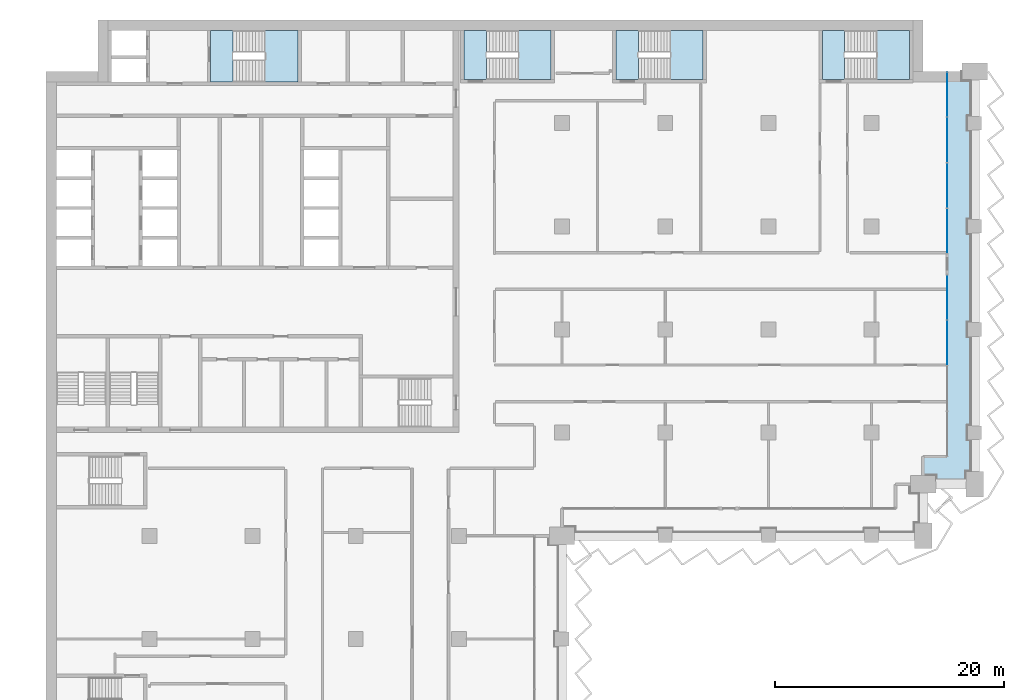
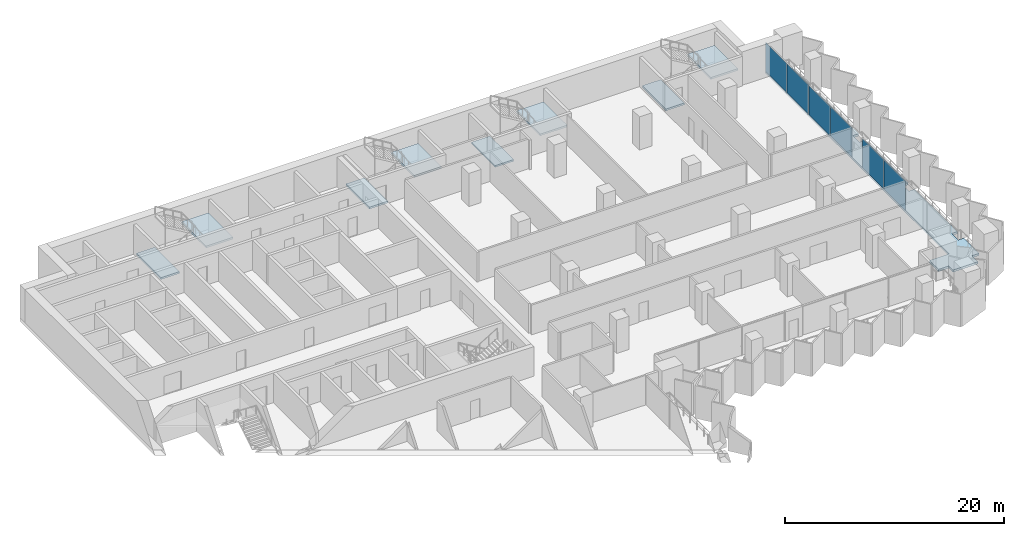
# One storey, part 8 of 23: 9 slabs, 6 plates, 6 elements without a shape of their own.
"""IFC4 building model written with IfcOpenShell, lengths in metres."""

import ifcopenshell
import ifcopenshell.guid

model = None  # the IFC model being written
_history = None  # IfcOwnerHistory: only IFC2X3 demands one
_inside = {}  # id of a spatial element -> (the spatial element, [elements in it])
_under = {}  # id of a project, library or spatial element -> (it, [spatial elements below it])
_declared = {}  # id of a project -> (the project, [libraries it declares])
_typed = {}  # id of a type object -> (the type object, [elements of that type])
_made_of = {}  # id of a material, layer set ... -> (it, [elements and type objects made of it])


def new_model(schema):
    """Start an empty IFC model of exactly this schema.

    Asked for "IFC4X3", IfcOpenShell would pick the latest addendum, in which some entities
    have other attributes; the version numbers below select the first issue.
    IFC2X3 requires an IfcOwnerHistory on every rooted entity: one is made here for all.
    """
    global model, _history
    if schema == "IFC4X3":
        model = ifcopenshell.file(schema_version=(4, 3, 0, 0))
    else:
        model = ifcopenshell.file(schema=schema)
    _inside.clear()
    _under.clear()
    _declared.clear()
    _typed.clear()
    _made_of.clear()
    _history = None
    if model.schema == "IFC2X3":
        org = make("IfcOrganization", Name="unknown")
        user = make(
            "IfcPersonAndOrganization",
            ThePerson=make("IfcPerson", FamilyName="unknown"),
            TheOrganization=org,
        )
        app = make(
            "IfcApplication",
            ApplicationDeveloper=org,
            Version="unknown",
            ApplicationFullName="unknown",
            ApplicationIdentifier="unknown",
        )
        _history = make(
            "IfcOwnerHistory",
            OwningUser=user,
            OwningApplication=app,
            ChangeAction="ADDED",
            CreationDate=0,
        )
    return model


def make(cls, **values):
    """One entity of the class cls with the attributes given. An attribute that is None is left unset."""
    return model.create_entity(
        cls, **{name: value for name, value in values.items() if value is not None}
    )


def rooted(cls, **values):
    """An entity with a GlobalId (a new one), such as an element, a storey or a relation."""
    return make(cls, GlobalId=ifcopenshell.guid.new(), OwnerHistory=_history, **values)


def si_unit(unit_type, name, prefix=None):
    """IfcSIUnit, for example si_unit("LENGTHUNIT", "METRE", prefix="MILLI")."""
    return make("IfcSIUnit", UnitType=unit_type, Prefix=prefix, Name=name)


def assignment(units):
    """IfcUnitAssignment: the units of a project."""
    return None if units is None else make("IfcUnitAssignment", Units=units)


def point(xyz):
    """IfcCartesianPoint."""
    return None if xyz is None else make("IfcCartesianPoint", Coordinates=xyz)


def direction(xyz):
    """IfcDirection."""
    return None if xyz is None else make("IfcDirection", DirectionRatios=xyz)


def frame(location, z_axis=None, x_axis=None):
    """IfcAxis2Placement3D, a coordinate frame: its origin and axes. An axis left out is left unset."""
    return make(
        "IfcAxis2Placement3D",
        Location=point(location),
        Axis=direction(z_axis),
        RefDirection=direction(x_axis),
    )


def frame_2d(location, x_axis=None):
    """IfcAxis2Placement2D, a coordinate frame in the plane: its origin and x axis."""
    return make(
        "IfcAxis2Placement2D", Location=point(location), RefDirection=direction(x_axis)
    )


def origin():
    """The frame at (0, 0, 0) with its axes left unset."""
    return frame((0.0, 0.0, 0.0))


def origin_2d():
    """The frame at (0, 0) in the plane with its x axis left unset."""
    return frame_2d((0.0, 0.0))


def place(relative_to, where):
    """IfcLocalPlacement: puts the frame where relative to a parent placement (None: the world)."""
    return make(
        "IfcLocalPlacement", PlacementRelTo=relative_to, RelativePlacement=where
    )


def context(
    kind, dimensions, precision=None, world=None, true_north=None, identifier=None
):
    """IfcGeometricRepresentationContext, for example the 3D "Model" context."""
    return make(
        "IfcGeometricRepresentationContext",
        ContextIdentifier=identifier,
        ContextType=kind,
        CoordinateSpaceDimension=dimensions,
        Precision=precision,
        WorldCoordinateSystem=world,
        TrueNorth=true_north,
    )


def subcontext(parent, identifier, kind, view, scale=None):
    """IfcGeometricRepresentationSubContext, for example "Body" below "Model"."""
    return make(
        "IfcGeometricRepresentationSubContext",
        ContextIdentifier=identifier,
        ContextType=kind,
        ParentContext=parent,
        TargetScale=scale,
        TargetView=view,
    )


def project(units=None, contexts=None):
    """IfcProject with its units and contexts."""
    return rooted(
        "IfcProject",
        Name="project",
        RepresentationContexts=contexts,
        UnitsInContext=assignment(units),
    )


def spatial(cls, under=None, at=None, **own):
    """A site, building, storey or space (cls), placed at a placement, below another one or the project."""
    s = rooted(cls, ObjectPlacement=at, **own)
    if under is not None:
        _under.setdefault(under.id(), (under, []))[1].append(s)
    return s


def polyline(points):
    """IfcPolyline through the points."""
    return make("IfcPolyline", Points=[point(p) for p in points])


def profile(cls, at=None, kind="AREA", **sizes):
    """A parametric profile (cls). Its sizes go by their IFC names, for example OverallWidth=200.0."""
    return make(cls, ProfileType=kind, Position=at, **sizes)


def rectangle(**sizes):
    """IfcRectangleProfileDef."""
    return profile("IfcRectangleProfileDef", **sizes)


def outline(outer, holes=None, kind="AREA"):
    """IfcArbitraryClosedProfileDef: a profile drawn as a closed curve; with holes, ...WithVoids."""
    if holes is None:
        return make("IfcArbitraryClosedProfileDef", ProfileType=kind, OuterCurve=outer)
    return make(
        "IfcArbitraryProfileDefWithVoids",
        ProfileType=kind,
        OuterCurve=outer,
        InnerCurves=holes,
    )


def extrude(swept, where, along, depth):
    """IfcExtrudedAreaSolid: the profile swept, set in the frame where, extruded along a direction by depth."""
    return make(
        "IfcExtrudedAreaSolid",
        SweptArea=swept,
        Position=where,
        ExtrudedDirection=direction(along),
        Depth=depth,
    )


def shape(context_of_items, identifier, shape_type, items):
    """IfcShapeRepresentation: the items that make up one representation, for example the "Body"."""
    return make(
        "IfcShapeRepresentation",
        ContextOfItems=context_of_items,
        RepresentationIdentifier=identifier,
        RepresentationType=shape_type,
        Items=items,
    )


def material(Name=None, Category=None):
    """IfcMaterial."""
    return make("IfcMaterial", Name=Name, Category=Category)


def layer(
    of_material, thickness, ventilated=None, Name=None, Category=None, Priority=None
):
    """IfcMaterialLayer: one layer of a wall or slab, of a material (None: an air gap)."""
    return make(
        "IfcMaterialLayer",
        Material=of_material,
        LayerThickness=thickness,
        IsVentilated=ventilated,
        Name=Name,
        Category=Category,
        Priority=Priority,
    )


def layer_set(layers, Name=None):
    """IfcMaterialLayerSet."""
    return make("IfcMaterialLayerSet", MaterialLayers=layers, LayerSetName=Name)


def made_of(thing, what):
    """Note that an element or type object is made of a material, layer set ...; save() writes the relation."""
    if what is not None:
        _made_of.setdefault(what.id(), (what, []))[1].append(thing)
    return thing


def type_object(cls, material=None, **own):
    """A type object (cls), such as IfcWallType, which elements share."""
    return made_of(rooted(cls, **own), material)


def element(
    cls,
    number,
    at=None,
    inside=None,
    cuts=None,
    type_object=None,
    material=None,
    context=None,
    identifier="Body",
    shape_type=None,
    held_by="IfcProductDefinitionShape",
    body=None,
    shapes=None,
    **own,
):
    """One element of the class cls, such as IfcWall. Its Tag is "e" and its number.

    at: its placement. inside: the storey or other place that contains it. cuts: it is an
    opening in that element (IfcRelVoidsElement). A single representation is given by context,
    identifier, shape_type and body (its items); several are given by shapes. held_by: the class
    of the entity that holds the representations. save() writes the other relations.
    """
    e = rooted(cls, Tag="e%d" % number, ObjectPlacement=at, **own)
    if body is not None:
        shapes = [shape(context, identifier, shape_type, body)]
    if shapes is not None:
        e.Representation = make(held_by, Representations=shapes)
    if inside is not None:
        _inside.setdefault(inside.id(), (inside, []))[1].append(e)
    if cuts is not None:
        rooted(
            "IfcRelVoidsElement", RelatingBuildingElement=cuts, RelatedOpeningElement=e
        )
    if type_object is not None:
        _typed.setdefault(type_object.id(), (type_object, []))[1].append(e)
    return made_of(e, material)


def aggregate(whole, parts):
    """IfcRelAggregates: a whole, such as a stair, and the parts it consists of."""
    return rooted("IfcRelAggregates", RelatingObject=whole, RelatedObjects=parts)


def save(model, path):
    """Write the relations noted so far, then the file.

    IfcRelAggregates (storeys below a building ...), IfcRelContainedInSpatialStructure (elements
    in a storey), IfcRelDefinesByType, IfcRelAssociatesMaterial and IfcRelDeclares: one each for
    every whole, place, type object, material and project.
    """
    for whole, parts in _under.values():
        aggregate(whole, parts)
    for where, things in _inside.values():
        rooted(
            "IfcRelContainedInSpatialStructure",
            RelatedElements=things,
            RelatingStructure=where,
        )
    for kind, things in _typed.values():
        rooted("IfcRelDefinesByType", RelatedObjects=things, RelatingType=kind)
    for what, things in _made_of.values():
        rooted("IfcRelAssociatesMaterial", RelatedObjects=things, RelatingMaterial=what)
    for by, libraries in _declared.values():
        rooted("IfcRelDeclares", RelatingContext=by, RelatedDefinitions=libraries)
    model.write(path)


model = new_model("IFC4")

# Units and contexts
model_context = context("Model", 3, precision=1e-05, world=origin(), true_north=direction((0.0, 1.0)))
body_context = subcontext(model_context, "Body", "Model", "MODEL_VIEW")
ifc_project = project(units=[si_unit("LENGTHUNIT", "METRE"), si_unit("AREAUNIT", "SQUARE_METRE"), si_unit("VOLUMEUNIT", "CUBIC_METRE"), si_unit("PLANEANGLEUNIT", "RADIAN"), si_unit("MASSUNIT", "GRAM", prefix="KILO")], contexts=[model_context])

# Site, building, storey
site_placement = place(None, origin())
site = spatial("IfcSite", under=ifc_project, at=site_placement, CompositionType="ELEMENT")
building_placement = place(site_placement, origin())
building = spatial("IfcBuilding", under=site, at=building_placement, Name="Hunhe Ridgeline Campus", CompositionType="ELEMENT")
storey_placement = place(building_placement, frame((0.0, 0.0, 95.89990234375)))
storey = spatial("IfcBuildingStorey", under=building, at=storey_placement, Name="L23", CompositionType="ELEMENT", Elevation=95.89990234375)

# Curtain wall, plates
ifc_material_1 = material(Name="Aluminium 6063", Category="aluminium")
curtain_wall_type = type_object("IfcCurtainWallType", Name="Curtain wall CW-1", PredefinedType="NOTDEFINED", material=ifc_material_1)
curtain_wall_1_placement = place(storey_placement, origin())
curtain_wall_1 = element("IfcCurtainWall", 1, at=curtain_wall_1_placement, inside=storey, type_object=curtain_wall_type, Name="Curtain wall 14", PredefinedType="NOTDEFINED")
ifc_material_2 = material(Name="Low-e laminated glass", Category="glass")
ifc_layer_1 = layer(ifc_material_2, 0.028076171875)
ifc_layer_set_1 = layer_set([ifc_layer_1], Name="Curtain wall glass panel 28 low-e laminated")
plate_type = type_object("IfcPlateType", Name="Curtain wall glass panel 28 low-e laminated", PredefinedType="CURTAIN_PANEL", material=ifc_layer_set_1)
plate_1_placement = place(storey_placement, frame((78.59912109375, 70.838134765625, 0.0), z_axis=(0.0, 0.0, 1.0), x_axis=(0.0, 1.0, 0.0)))
plate_1 = element("IfcPlate", 2, at=plate_1_placement, type_object=plate_type, Name="CW-1 panel 3", PredefinedType="CURTAIN_PANEL", context=body_context, shape_type="SweptSolid", body=[
    extrude(rectangle(XDim=3.914794921875, YDim=0.028076171875, at=origin_2d()), origin(), (0.0, 0.0, 1.0), 3.239990234375),
])
plate_2_placement = place(storey_placement, frame((78.59912109375, 74.798095703125, 0.0), z_axis=(0.0, 0.0, 1.0), x_axis=(0.0, 1.0, 0.0)))
plate_2 = element("IfcPlate", 3, at=plate_2_placement, type_object=plate_type, Name="CW-1 panel 4", PredefinedType="CURTAIN_PANEL", context=body_context, shape_type="SweptSolid", body=[
    extrude(rectangle(XDim=3.884765625, YDim=0.028076171875, at=origin_2d()), origin(), (0.0, 0.0, 1.0), 3.239990234375),
])
aggregate(curtain_wall_1, [plate_1, plate_2])

curtain_wall_2_placement = place(storey_placement, origin())
curtain_wall_2 = element("IfcCurtainWall", 4, at=curtain_wall_2_placement, inside=storey, type_object=curtain_wall_type, Name="Curtain wall 15", PredefinedType="NOTDEFINED")
plate_3_placement = place(storey_placement, frame((78.59912109375, 80.60302734375, 0.0), z_axis=(0.0, 0.0, 1.0), x_axis=(0.0, 1.0, 0.0)))
plate_3 = element("IfcPlate", 5, at=plate_3_placement, type_object=plate_type, Name="CW-1 panel 1", PredefinedType="CURTAIN_PANEL", context=body_context, shape_type="SweptSolid", body=[
    extrude(rectangle(XDim=3.884765625, YDim=0.028076171875, at=origin_2d()), origin(), (0.0, 0.0, 1.0), 3.239990234375),
])
plate_4_placement = place(storey_placement, frame((78.59912109375, 84.562744140625, 0.0), z_axis=(0.0, 0.0, 1.0), x_axis=(0.0, 1.0, 0.0)))
plate_4 = element("IfcPlate", 6, at=plate_4_placement, type_object=plate_type, Name="CW-1 panel 2", PredefinedType="CURTAIN_PANEL", context=body_context, shape_type="SweptSolid", body=[
    extrude(rectangle(XDim=3.914794921875, YDim=0.028076171875, at=origin_2d()), origin(), (0.0, 0.0, 1.0), 3.239990234375),
])
plate_5_placement = place(storey_placement, frame((78.59912109375, 88.53759765625, 0.0), z_axis=(0.0, 0.0, 1.0), x_axis=(0.0, 1.0, 0.0)))
plate_5 = element("IfcPlate", 7, at=plate_5_placement, type_object=plate_type, Name="CW-1 panel 3", PredefinedType="CURTAIN_PANEL", context=body_context, shape_type="SweptSolid", body=[
    extrude(rectangle(XDim=3.914794921875, YDim=0.028076171875, at=origin_2d()), origin(), (0.0, 0.0, 1.0), 3.239990234375),
])
plate_6_placement = place(storey_placement, frame((78.59912109375, 92.49755859375, 0.0), z_axis=(0.0, 0.0, 1.0), x_axis=(0.0, 1.0, 0.0)))
plate_6 = element("IfcPlate", 8, at=plate_6_placement, type_object=plate_type, Name="CW-1 panel 4", PredefinedType="CURTAIN_PANEL", context=body_context, shape_type="SweptSolid", body=[
    extrude(rectangle(XDim=3.884765625, YDim=0.028076171875, at=origin_2d()), origin(), (0.0, 0.0, 1.0), 3.239990234375),
])
aggregate(curtain_wall_2, [plate_3, plate_4, plate_5, plate_6])

# Slab
ifc_material_3 = material(Name="Concrete C40", Category="concrete")
ifc_layer_2 = layer(ifc_material_3, 0.25)
ifc_layer_set_2 = layer_set([ifc_layer_2], Name="Loggia slab 250 Concrete C40")
slab_type_1 = type_object("IfcSlabType", Name="Loggia slab 250 Concrete C40", PredefinedType="FLOOR", material=ifc_layer_set_2)
slab_1_placement = place(storey_placement, frame((0.0, 0.0, -0.25)))
element("IfcSlab", 9, at=slab_1_placement, inside=storey, type_object=slab_type_1, Name="Loggia slab 3", PredefinedType="FLOOR", context=body_context, shape_type="SweptSolid", body=[
    extrude(outline(polyline([(76.5, 59.25), (77.60009765625, 59.25), (77.60009765625, 58.5), (80.25, 58.5), (80.25, 59.60009765625), (81.0, 59.60009765625), (81.0, 62.39990234375), (80.39990234375, 62.39990234375), (80.39990234375, 63.60009765625), (81.0, 63.60009765625), (81.0, 71.39990234375), (80.39990234375, 71.39990234375), (80.39990234375, 72.60009765625), (81.0, 72.60009765625), (81.0, 80.39990234375), (80.39990234375, 80.39990234375), (80.39990234375, 81.60009765625), (81.0, 81.60009765625), (81.0, 89.39990234375), (80.39990234375, 89.39990234375), (80.39990234375, 90.60009765625), (81.0, 90.60009765625), (81.0, 93.75), (79.89990234375, 93.75), (79.89990234375, 94.5), (78.60009765625, 94.5), (78.60009765625, 60.89990234375), (76.5, 60.89990234375), (76.5, 59.25)])), origin(), (0.0, 0.0, 1.0), 0.25),
])

# Stair, slab
stair_type = type_object("IfcStairType", Name="Reinforced concrete dog-leg stair 1950 Concrete C40", PredefinedType="HALF_TURN_STAIR", material=ifc_material_3)
stair_1_placement = place(storey_placement, origin())
stair_1 = element("IfcStair", 10, at=stair_1_placement, inside=storey, type_object=stair_type, Name="L23 S1", PredefinedType="HALF_TURN_STAIR")
ifc_layer_3 = layer(ifc_material_3, 0.199951171875)
ifc_layer_set_3 = layer_set([ifc_layer_3], Name="Reinforced concrete stair landing 200 Concrete C40")
slab_type_2 = type_object("IfcSlabType", Name="Reinforced concrete stair landing 200 Concrete C40", PredefinedType="LANDING", material=ifc_layer_set_3)
slab_2_placement = place(storey_placement, frame((0.0, 0.0, 1.650146484375)))
slab_2 = element("IfcSlab", 11, at=slab_2_placement, type_object=slab_type_2, Name="ST1 landing 1", PredefinedType="LANDING", context=body_context, shape_type="SweptSolid", body=[
    extrude(outline(polyline([(19.10009765625, 93.60009765625), (21.949951171875, 93.60009765625), (21.949951171875, 98.10009765625), (19.10009765625, 98.10009765625), (19.10009765625, 93.60009765625)])), origin(), (0.0, 0.0, 1.0), 0.199951171875),
])
aggregate(stair_1, [slab_2])

# Slab
slab_3_placement = place(storey_placement, frame((0.0, 0.0, -0.199951171875)))
element("IfcSlab", 12, at=slab_3_placement, inside=storey, type_object=slab_type_2, Name="L23 stair S1 floor landing", PredefinedType="LANDING", context=body_context, shape_type="SweptSolid", body=[
    extrude(outline(polyline([(14.35009765625, 93.60009765625), (16.300048828125, 93.60009765625), (16.300048828125, 98.10009765625), (14.35009765625, 98.10009765625), (14.35009765625, 93.60009765625)])), origin(), (0.0, 0.0, 1.0), 0.199951171875),
])

# Stair, slab
stair_2_placement = place(storey_placement, origin())
stair_2 = element("IfcStair", 13, at=stair_2_placement, inside=storey, type_object=stair_type, Name="L23 E1", PredefinedType="HALF_TURN_STAIR")
slab_4_placement = place(storey_placement, frame((0.0, 0.0, 1.650146484375)))
slab_4 = element("IfcSlab", 14, at=slab_4_placement, type_object=slab_type_2, Name="ST5 landing 1", PredefinedType="LANDING", context=body_context, shape_type="SweptSolid", body=[
    extrude(outline(polyline([(41.199951171875, 93.800048828125), (44.050048828125, 93.800048828125), (44.050048828125, 98.10009765625), (41.199951171875, 98.10009765625), (41.199951171875, 93.800048828125)])), origin(), (0.0, 0.0, 1.0), 0.199951171875),
])
aggregate(stair_2, [slab_4])

# Slab
slab_5_placement = place(storey_placement, frame((0.0, 0.0, -0.199951171875)))
element("IfcSlab", 15, at=slab_5_placement, inside=storey, type_object=slab_type_2, Name="L23 stair E1 floor landing", PredefinedType="LANDING", context=body_context, shape_type="SweptSolid", body=[
    extrude(outline(polyline([(36.449951171875, 93.800048828125), (38.39990234375, 93.800048828125), (38.39990234375, 98.10009765625), (36.449951171875, 98.10009765625), (36.449951171875, 93.800048828125)])), origin(), (0.0, 0.0, 1.0), 0.199951171875),
])

# Stair, slab
stair_3_placement = place(storey_placement, origin())
stair_3 = element("IfcStair", 16, at=stair_3_placement, inside=storey, type_object=stair_type, Name="L23 E2", PredefinedType="HALF_TURN_STAIR")
slab_6_placement = place(storey_placement, frame((0.0, 0.0, 1.650146484375)))
slab_6 = element("IfcSlab", 17, at=slab_6_placement, type_object=slab_type_2, Name="ST6 landing 1", PredefinedType="LANDING", context=body_context, shape_type="SweptSolid", body=[
    extrude(outline(polyline([(54.449951171875, 93.800048828125), (57.300048828125, 93.800048828125), (57.300048828125, 98.10009765625), (54.449951171875, 98.10009765625), (54.449951171875, 93.800048828125)])), origin(), (0.0, 0.0, 1.0), 0.199951171875),
])
aggregate(stair_3, [slab_6])

# Slab
slab_7_placement = place(storey_placement, frame((0.0, 0.0, -0.199951171875)))
element("IfcSlab", 18, at=slab_7_placement, inside=storey, type_object=slab_type_2, Name="L23 stair E2 floor landing", PredefinedType="LANDING", context=body_context, shape_type="SweptSolid", body=[
    extrude(outline(polyline([(49.699951171875, 93.800048828125), (51.64990234375, 93.800048828125), (51.64990234375, 98.10009765625), (49.699951171875, 98.10009765625), (49.699951171875, 93.800048828125)])), origin(), (0.0, 0.0, 1.0), 0.199951171875),
])

# Stair, slab
stair_4_placement = place(storey_placement, origin())
stair_4 = element("IfcStair", 19, at=stair_4_placement, inside=storey, type_object=stair_type, Name="L23 E3", PredefinedType="HALF_TURN_STAIR")
slab_8_placement = place(storey_placement, frame((0.0, 0.0, 1.650146484375)))
slab_8 = element("IfcSlab", 20, at=slab_8_placement, type_object=slab_type_2, Name="ST7 landing 1", PredefinedType="LANDING", context=body_context, shape_type="SweptSolid", body=[
    extrude(outline(polyline([(72.449951171875, 93.800048828125), (75.300048828125, 93.800048828125), (75.300048828125, 98.10009765625), (72.449951171875, 98.10009765625), (72.449951171875, 93.800048828125)])), origin(), (0.0, 0.0, 1.0), 0.199951171875),
])
aggregate(stair_4, [slab_8])

# Slab
slab_9_placement = place(storey_placement, frame((0.0, 0.0, -0.199951171875)))
element("IfcSlab", 21, at=slab_9_placement, inside=storey, type_object=slab_type_2, Name="L23 stair E3 floor landing", PredefinedType="LANDING", context=body_context, shape_type="SweptSolid", body=[
    extrude(outline(polyline([(67.699951171875, 93.800048828125), (69.64990234375, 93.800048828125), (69.64990234375, 98.10009765625), (67.699951171875, 98.10009765625), (67.699951171875, 93.800048828125)])), origin(), (0.0, 0.0, 1.0), 0.199951171875),
])

save(model, "model.ifc")
